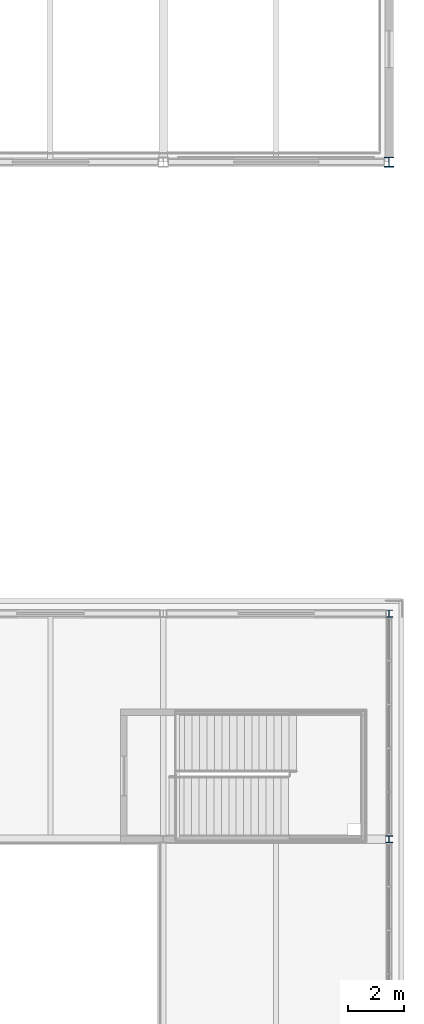
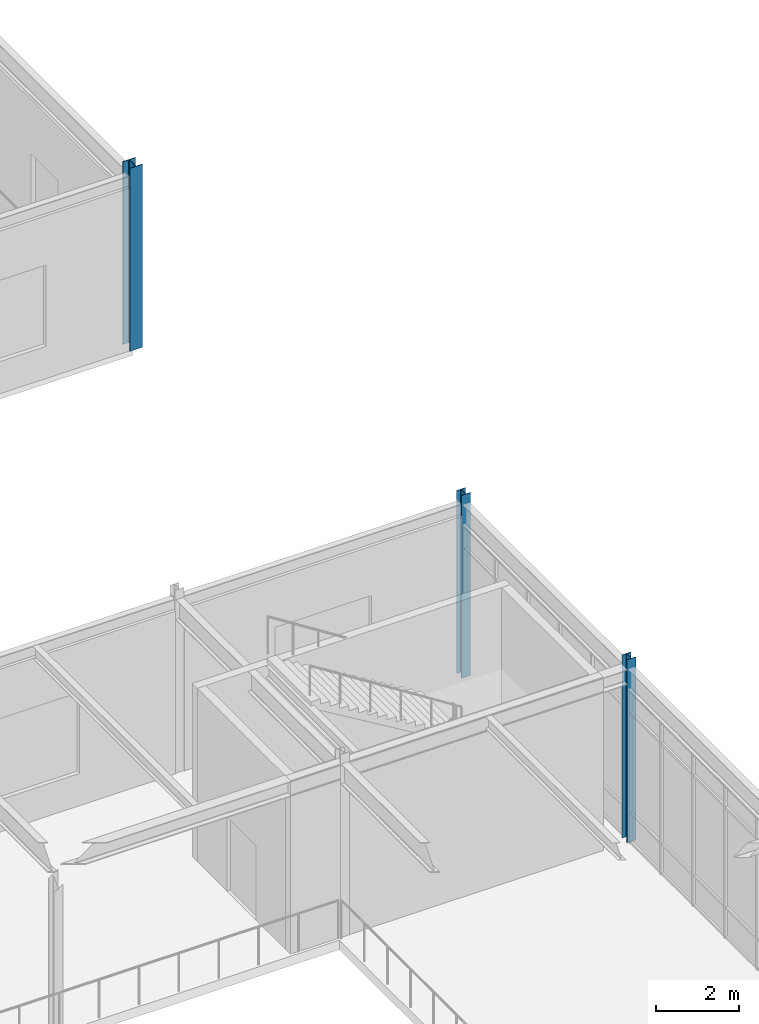
# One storey, part 23 of 184: 3 columns.
"""IFC4 building model written with IfcOpenShell, lengths in metres."""

from ifc_helpers import new_model, si_unit, direction, frame, origin, origin_2d, place, context, subcontext, project, spatial, i_section, extrude, material, material_profile, profile_set, type_object, element, save


model = new_model("IFC4")

# Units and contexts
model_context = context("Model", 3, precision=1e-05, world=origin(), true_north=direction((0.0, 1.0)))
body_context = subcontext(model_context, "Body", "Model", "MODEL_VIEW")
ifc_project = project(units=[si_unit("LENGTHUNIT", "METRE"), si_unit("AREAUNIT", "SQUARE_METRE"), si_unit("VOLUMEUNIT", "CUBIC_METRE"), si_unit("PLANEANGLEUNIT", "RADIAN"), si_unit("MASSUNIT", "GRAM", prefix="KILO")], contexts=[model_context])

# Site, building, storey
site_placement = place(None, origin())
site = spatial("IfcSite", under=ifc_project, at=site_placement, CompositionType="ELEMENT")
building_placement = place(site_placement, origin())
building = spatial("IfcBuilding", under=site, at=building_placement, Name="Zhaolan Boulevard Law Courts", CompositionType="ELEMENT")
storey_placement = place(building_placement, frame((0.0, 0.0, 5.39990234375)))
storey = spatial("IfcBuildingStorey", under=building, at=storey_placement, Name="L01", CompositionType="ELEMENT", Elevation=5.39990234375)

# Columns
ifc_material_1 = material(Name="Structural steel Q355B", Category="steel")
ifc_material_profile_1 = material_profile(ifc_material_1, i_section(OverallWidth=0.25, OverallDepth=0.25, WebThickness=0.009033203125, FlangeThickness=0.013916015625, FilletRadius=0.01611328125, at=origin_2d()), Name="HW250x250")
ifc_profile_set_1 = profile_set([ifc_material_profile_1], Name="Structural steel Q355B")
column_type_1 = type_object("IfcColumnType", Name="COL HW250", PredefinedType="COLUMN", material=ifc_profile_set_1)
for number, where, z_axis, x_axis, name in (
    (1, (164.0, 38.0, 0.0), (0.0, 0.0, 1.0), (1.0, 0.0, 0.0), "Column C-21F (L01)"),
    (2, (164.0, 46.0, 0.0), (0.0, 0.0, 1.0), (1.0, 0.0, 0.0), "Column C-21G (L01)"),
):
    element("IfcColumn", number, at=place(storey_placement, frame(where, z_axis=z_axis, x_axis=x_axis)), inside=storey, type_object=column_type_1, Name=name, PredefinedType="COLUMN", context=body_context, shape_type="SweptSolid", body=[
        extrude(i_section(OverallWidth=0.25, OverallDepth=0.25, WebThickness=0.009033203125, FlangeThickness=0.013916015625, FilletRadius=0.01611328125, at=origin_2d()), origin(), (0.0, 0.0, 1.0), 5.400146484375),
    ])
ifc_material_2 = material(Name="Structural steel Q355B", Category="steel")
ifc_material_profile_2 = material_profile(ifc_material_2, i_section(OverallWidth=0.35009765625, OverallDepth=0.35009765625, WebThickness=0.011962890625, FlangeThickness=0.01904296875, FilletRadius=0.02001953125, at=origin_2d()), Name="HW350x350")
ifc_profile_set_2 = profile_set([ifc_material_profile_2], Name="Structural steel Q355B")
column_type_2 = type_object("IfcColumnType", Name="COL HW350", PredefinedType="COLUMN", material=ifc_profile_set_2)
column_placement = place(storey_placement, frame((164.0, 62.0, 0.0), z_axis=(0.0, 0.0, 1.0), x_axis=(1.0, 0.0, 0.0)))
element("IfcColumn", 3, at=column_placement, inside=storey, type_object=column_type_2, Name="Column C-21J (L01)", PredefinedType="COLUMN", context=body_context, shape_type="SweptSolid", body=[
    extrude(i_section(OverallWidth=0.35009765625, OverallDepth=0.35009765625, WebThickness=0.011962890625, FlangeThickness=0.01904296875, FilletRadius=0.02001953125, at=origin_2d()), origin(), (0.0, 0.0, 1.0), 5.400146484375),
])

save(model, "model.ifc")
